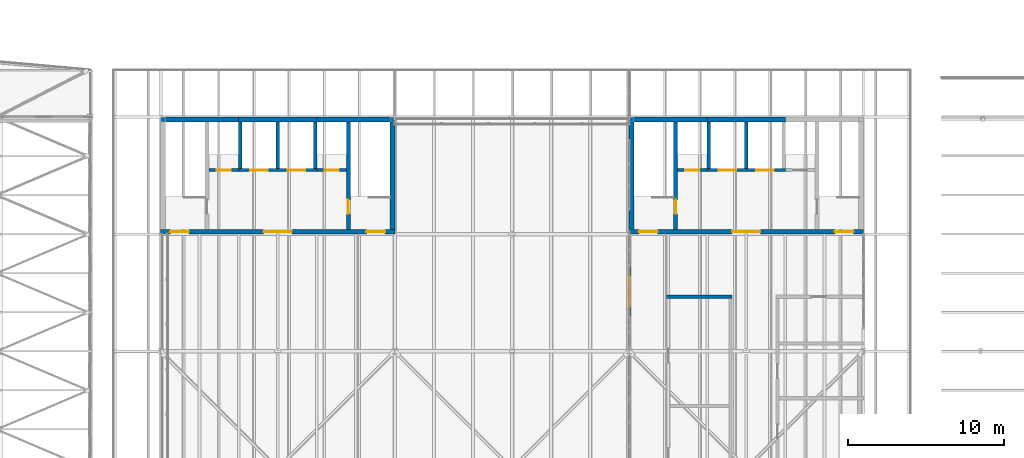
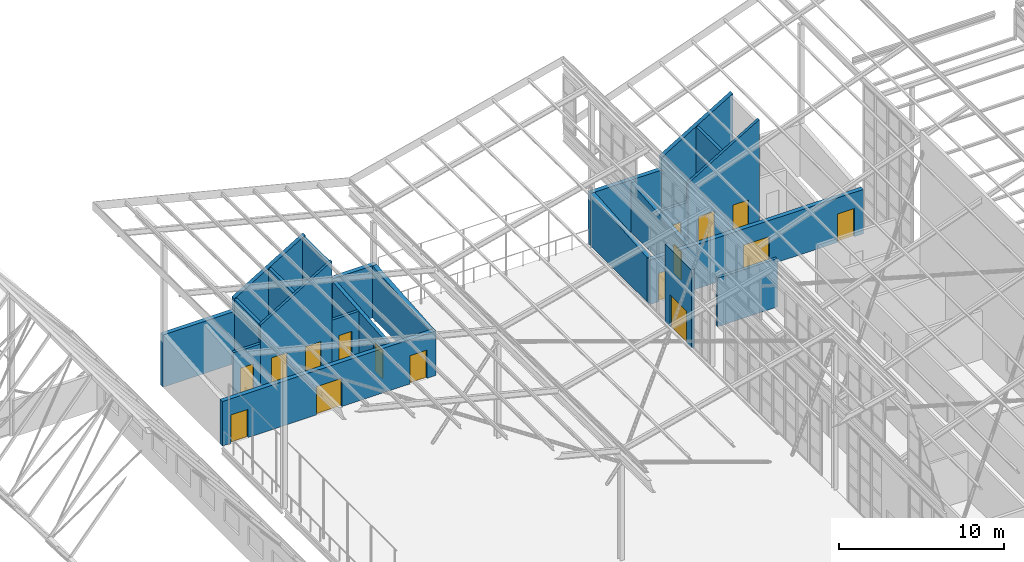
# One storey, part 116 of 483: 23 walls, 16 doors, 16 openings.
"""IFC4 building model written with IfcOpenShell, lengths in metres."""

from ifc_helpers import new_model, si_unit, direction, frame, frame_2d, origin, place, context, subcontext, project, spatial, polyline, rectangle, outline, extrude, material, layer, layer_set, type_object, element, fill, save


model = new_model("IFC4")

# Units and contexts
model_context = context("Model", 3, precision=1e-05, world=origin(), true_north=direction((0.0, 1.0)))
body_context = subcontext(model_context, "Body", "Model", "MODEL_VIEW")
ifc_project = project(units=[si_unit("LENGTHUNIT", "METRE"), si_unit("AREAUNIT", "SQUARE_METRE"), si_unit("VOLUMEUNIT", "CUBIC_METRE"), si_unit("PLANEANGLEUNIT", "RADIAN"), si_unit("MASSUNIT", "GRAM", prefix="KILO")], contexts=[model_context])

# Site, building, storey
site_placement = place(None, origin())
site = spatial("IfcSite", under=ifc_project, at=site_placement, CompositionType="ELEMENT")
building_placement = place(site_placement, origin())
building = spatial("IfcBuilding", under=site, at=building_placement, Name="Parallax Yard Mobility Hub", CompositionType="ELEMENT")
storey_placement = place(building_placement, frame((0.0, 0.0, 13.199951171875)))
storey = spatial("IfcBuildingStorey", under=building, at=storey_placement, Name="L04", CompositionType="ELEMENT", Elevation=13.199951171875)

# Wall, openings, doors
ifc_material_1 = material(Name="Concrete fc' 35 MPa", Category="concrete")
ifc_layer_1 = layer(ifc_material_1, 0.300048828125)
ifc_layer_set_1 = layer_set([ifc_layer_1], Name="Concrete fc' 35 MPa core wall 300")
wall_type_1 = type_object("IfcWallType", Name="Concrete fc' 35 MPa core wall 300", PredefinedType="SHEAR", material=ifc_layer_set_1)
wall_1_placement = place(storey_placement, frame((112.5, 45.14990234375, 0.0), z_axis=(0.0, 0.0, 1.0), x_axis=(-1.0, 0.0, 0.0)))
wall_1 = element("IfcWall", 1, at=wall_1_placement, inside=storey, type_object=wall_type_1, Name="Core C6-W entry wall level L04", PredefinedType="SHEAR", context=body_context, shape_type="SweptSolid", body=[
    extrude(rectangle(XDim=15.0, YDim=0.300048828125, at=frame_2d((7.5, 0.0))), origin(), (0.0, 0.0, 1.0), 3.300048828125),
])
opening_1_placement = place(wall_1_placement, frame((13.179931640625, 0.0, 0.0)))
opening_1 = element("IfcOpeningElement", 2, at=opening_1_placement, cuts=wall_1, Name="Opening L04-D733", PredefinedType="OPENING", context=body_context, shape_type="SweptSolid", body=[
    extrude(rectangle(XDim=1.199951171875, YDim=2.10009765625, at=frame_2d((0.60009765625, 1.050048828125))), frame((0.0, 0.16015625, 0.0), z_axis=(0.0, -1.0, 0.0), x_axis=(1.0, 0.0, 0.0)), (0.0, 0.0, 1.0), 0.320068359375),
])
opening_2_placement = place(wall_1_placement, frame((0.6201171875, 0.0, 0.0)))
opening_2 = element("IfcOpeningElement", 3, at=opening_2_placement, cuts=wall_1, Name="Opening L04-D734", PredefinedType="OPENING", context=body_context, shape_type="SweptSolid", body=[
    extrude(rectangle(XDim=1.199951171875, YDim=2.10009765625, at=frame_2d((0.60009765625, 1.050048828125))), frame((0.0, 0.16015625, 0.0), z_axis=(0.0, -1.0, 0.0), x_axis=(1.0, 0.0, 0.0)), (0.0, 0.0, 1.0), 0.320068359375),
])
opening_3_placement = place(wall_1_placement, frame((6.60009765625, 0.0, 0.0)))
opening_3 = element("IfcOpeningElement", 4, at=opening_3_placement, cuts=wall_1, Name="Opening L04-D735", PredefinedType="OPENING", context=body_context, shape_type="SweptSolid", body=[
    extrude(rectangle(XDim=1.800048828125, YDim=2.10009765625, at=frame_2d((0.89990234375, 1.050048828125))), frame((0.0, 0.16015625, 0.0), z_axis=(0.0, -1.0, 0.0), x_axis=(1.0, 0.0, 0.0)), (0.0, 0.0, 1.0), 0.320068359375),
])
ifc_material_2 = material(Name="Hollow metal steel door and frame", Category="steel")
door_type_1 = type_object("IfcDoorType", Name="Core door 1200 x 2100 FD90", OperationType="NOTDEFINED", PredefinedType="DOOR", material=ifc_material_2)
door_1_placement = place(opening_1_placement, origin())
door_1 = element("IfcDoor", 5, at=door_1_placement, inside=storey, type_object=door_type_1, Name="Stair deck door L04-D733, core C6-W level L04", OperationType="SINGLE_SWING_RIGHT", OverallHeight=2.10009765625, OverallWidth=1.199951171875, PredefinedType="DOOR", context=body_context, shape_type="SweptSolid", body=[
    extrude(rectangle(XDim=1.199951171875, YDim=2.10009765625, at=frame_2d((0.60009765625, 1.050048828125))), frame((0.0, 0.02490234375, 0.0), z_axis=(0.0, -1.0, 0.0), x_axis=(1.0, 0.0, 0.0)), (0.0, 0.0, 1.0), 0.050048828125),
])
fill(opening_1, door_1)
door_2_placement = place(opening_2_placement, origin())
door_2 = element("IfcDoor", 6, at=door_2_placement, inside=storey, type_object=door_type_1, Name="Stair deck door L04-D734, core C6-W level L04", OperationType="SINGLE_SWING_LEFT", OverallHeight=2.10009765625, OverallWidth=1.199951171875, PredefinedType="DOOR", context=body_context, shape_type="SweptSolid", body=[
    extrude(rectangle(XDim=1.199951171875, YDim=2.10009765625, at=frame_2d((0.60009765625, 1.050048828125))), frame((0.0, 0.02490234375, 0.0), z_axis=(0.0, -1.0, 0.0), x_axis=(1.0, 0.0, 0.0)), (0.0, 0.0, 1.0), 0.050048828125),
])
fill(opening_2, door_2)
door_type_2 = type_object("IfcDoorType", Name="Core double door 1800 x 2100 FD90", OperationType="NOTDEFINED", PredefinedType="DOOR", material=ifc_material_2)
door_3_placement = place(opening_3_placement, origin())
door_3 = element("IfcDoor", 7, at=door_3_placement, inside=storey, type_object=door_type_2, Name="Lift lobby door L04-D735, core C6-W level L04", OperationType="DOUBLE_DOOR_SINGLE_SWING", OverallHeight=2.10009765625, OverallWidth=1.800048828125, PredefinedType="DOOR", context=body_context, shape_type="SweptSolid", body=[
    extrude(rectangle(XDim=1.800048828125, YDim=2.10009765625, at=frame_2d((0.89990234375, 1.050048828125))), frame((0.0, 0.02490234375, 0.0), z_axis=(0.0, -1.0, 0.0), x_axis=(1.0, 0.0, 0.0)), (0.0, 0.0, 1.0), 0.050048828125),
])
fill(opening_3, door_3)

# Walls
wall_2_placement = place(storey_placement, frame((97.5, 52.35009765625, 0.0), z_axis=(0.0, 0.0, 1.0), x_axis=(1.0, 0.0, 0.0)))
element("IfcWall", 8, at=wall_2_placement, inside=storey, type_object=wall_type_1, Name="Core C6-W back wall part 1 level L04", PredefinedType="SHEAR", context=body_context, shape_type="SweptSolid", body=[
    extrude(rectangle(XDim=5.0, YDim=0.300048828125, at=frame_2d((2.5, 0.0))), origin(), (0.0, 0.0, 1.0), 3.875),
])
wall_3_placement = place(storey_placement, frame((102.5, 52.35009765625, 0.0), z_axis=(0.0, 0.0, 1.0), x_axis=(1.0, 0.0, 0.0)))
element("IfcWall", 9, at=wall_3_placement, inside=storey, type_object=wall_type_1, Name="Core C6-W back wall part 2 level L04", PredefinedType="SHEAR", context=body_context, shape_type="SweptSolid", body=[
    extrude(outline(polyline([(0.0, 0.0), (5.0, 0.0), (5.0, 7.800048828125), (0.0, 4.800048828125), (0.0, 0.0)])), frame((0.0, 0.14990234375, 0.0), z_axis=(0.0, -1.0, 0.0), x_axis=(1.0, 0.0, 0.0)), (0.0, 0.0, 1.0), 0.300048828125),
])
wall_4_placement = place(storey_placement, frame((107.5, 52.35009765625, 0.0), z_axis=(0.0, 0.0, 1.0), x_axis=(1.0, 0.0, 0.0)))
element("IfcWall", 10, at=wall_4_placement, inside=storey, type_object=wall_type_1, Name="Core C6-W back wall part 3 level L04", PredefinedType="SHEAR", context=body_context, shape_type="SweptSolid", body=[
    extrude(rectangle(XDim=5.0, YDim=0.300048828125, at=frame_2d((2.5, 0.0))), origin(), (0.0, 0.0, 1.0), 3.875),
])
wall_5_placement = place(storey_placement, frame((112.35009765625, 52.199951171875, 0.0), z_axis=(0.0, 0.0, 1.0), x_axis=(0.0, -1.0, 0.0)))
element("IfcWall", 11, at=wall_5_placement, inside=storey, type_object=wall_type_1, Name="Core C6-W east-side end wall level L04", PredefinedType="SHEAR", context=body_context, shape_type="SweptSolid", body=[
    extrude(outline(polyline([(0.0, 0.0), (6.89990234375, 0.0), (6.89990234375, 3.300048828125), (0.0, 3.875), (0.0, 0.0)])), frame((0.0, 0.14990234375, 0.0), z_axis=(0.0, -1.0, 0.0), x_axis=(1.0, 0.0, 0.0)), (0.0, 0.0, 1.0), 0.300048828125),
])

# Wall, openings, doors
wall_6_placement = place(storey_placement, frame((142.5, 45.14990234375, 0.0), z_axis=(0.0, 0.0, 1.0), x_axis=(-1.0, 0.0, 0.0)))
wall_6 = element("IfcWall", 12, at=wall_6_placement, inside=storey, type_object=wall_type_1, Name="Core C6-E entry wall level L04", PredefinedType="SHEAR", context=body_context, shape_type="SweptSolid", body=[
    extrude(rectangle(XDim=15.0, YDim=0.300048828125, at=frame_2d((7.5, 0.0))), origin(), (0.0, 0.0, 1.0), 3.300048828125),
])
opening_4_placement = place(wall_6_placement, frame((13.179931640625, 0.0, 0.0)))
opening_4 = element("IfcOpeningElement", 13, at=opening_4_placement, cuts=wall_6, Name="Opening L04-D742", PredefinedType="OPENING", context=body_context, shape_type="SweptSolid", body=[
    extrude(rectangle(XDim=1.199951171875, YDim=2.10009765625, at=frame_2d((0.60009765625, 1.050048828125))), frame((0.0, 0.16015625, 0.0), z_axis=(0.0, -1.0, 0.0), x_axis=(1.0, 0.0, 0.0)), (0.0, 0.0, 1.0), 0.320068359375),
])
opening_5_placement = place(wall_6_placement, frame((0.6201171875, 0.0, 0.0)))
opening_5 = element("IfcOpeningElement", 14, at=opening_5_placement, cuts=wall_6, Name="Opening L04-D743", PredefinedType="OPENING", context=body_context, shape_type="SweptSolid", body=[
    extrude(rectangle(XDim=1.199951171875, YDim=2.10009765625, at=frame_2d((0.60009765625, 1.050048828125))), frame((0.0, 0.16015625, 0.0), z_axis=(0.0, -1.0, 0.0), x_axis=(1.0, 0.0, 0.0)), (0.0, 0.0, 1.0), 0.320068359375),
])
opening_6_placement = place(wall_6_placement, frame((6.60009765625, 0.0, 0.0)))
opening_6 = element("IfcOpeningElement", 15, at=opening_6_placement, cuts=wall_6, Name="Opening L04-D744", PredefinedType="OPENING", context=body_context, shape_type="SweptSolid", body=[
    extrude(rectangle(XDim=1.800048828125, YDim=2.10009765625, at=frame_2d((0.89990234375, 1.050048828125))), frame((0.0, 0.16015625, 0.0), z_axis=(0.0, -1.0, 0.0), x_axis=(1.0, 0.0, 0.0)), (0.0, 0.0, 1.0), 0.320068359375),
])
door_4_placement = place(opening_4_placement, origin())
door_4 = element("IfcDoor", 16, at=door_4_placement, inside=storey, type_object=door_type_1, Name="Stair deck door L04-D742, core C6-E level L04", OperationType="SINGLE_SWING_RIGHT", OverallHeight=2.10009765625, OverallWidth=1.199951171875, PredefinedType="DOOR", context=body_context, shape_type="SweptSolid", body=[
    extrude(rectangle(XDim=1.199951171875, YDim=2.10009765625, at=frame_2d((0.60009765625, 1.050048828125))), frame((0.0, 0.02490234375, 0.0), z_axis=(0.0, -1.0, 0.0), x_axis=(1.0, 0.0, 0.0)), (0.0, 0.0, 1.0), 0.050048828125),
])
fill(opening_4, door_4)
door_5_placement = place(opening_5_placement, origin())
door_5 = element("IfcDoor", 17, at=door_5_placement, inside=storey, type_object=door_type_1, Name="Stair deck door L04-D743, core C6-E level L04", OperationType="SINGLE_SWING_LEFT", OverallHeight=2.10009765625, OverallWidth=1.199951171875, PredefinedType="DOOR", context=body_context, shape_type="SweptSolid", body=[
    extrude(rectangle(XDim=1.199951171875, YDim=2.10009765625, at=frame_2d((0.60009765625, 1.050048828125))), frame((0.0, 0.02490234375, 0.0), z_axis=(0.0, -1.0, 0.0), x_axis=(1.0, 0.0, 0.0)), (0.0, 0.0, 1.0), 0.050048828125),
])
fill(opening_5, door_5)
door_6_placement = place(opening_6_placement, origin())
door_6 = element("IfcDoor", 18, at=door_6_placement, inside=storey, type_object=door_type_2, Name="Lift lobby door L04-D744, core C6-E level L04", OperationType="DOUBLE_DOOR_SINGLE_SWING", OverallHeight=2.10009765625, OverallWidth=1.800048828125, PredefinedType="DOOR", context=body_context, shape_type="SweptSolid", body=[
    extrude(rectangle(XDim=1.800048828125, YDim=2.10009765625, at=frame_2d((0.89990234375, 1.050048828125))), frame((0.0, 0.02490234375, 0.0), z_axis=(0.0, -1.0, 0.0), x_axis=(1.0, 0.0, 0.0)), (0.0, 0.0, 1.0), 0.050048828125),
])
fill(opening_6, door_6)

# Walls
wall_7_placement = place(storey_placement, frame((127.5, 52.35009765625, 0.0), z_axis=(0.0, 0.0, 1.0), x_axis=(1.0, 0.0, 0.0)))
element("IfcWall", 19, at=wall_7_placement, inside=storey, type_object=wall_type_1, Name="Core C6-E back wall part 1 level L04", PredefinedType="SHEAR", context=body_context, shape_type="SweptSolid", body=[
    extrude(rectangle(XDim=5.0, YDim=0.300048828125, at=frame_2d((2.5, 0.0))), origin(), (0.0, 0.0, 1.0), 3.875),
])
wall_8_placement = place(storey_placement, frame((132.5, 52.35009765625, 0.0), z_axis=(0.0, 0.0, 1.0), x_axis=(1.0, 0.0, 0.0)))
element("IfcWall", 20, at=wall_8_placement, inside=storey, type_object=wall_type_1, Name="Core C6-E back wall part 2 level L04", PredefinedType="SHEAR", context=body_context, shape_type="SweptSolid", body=[
    extrude(outline(polyline([(0.0, 0.0), (5.0, 0.0), (5.0, 7.800048828125), (0.0, 4.800048828125), (0.0, 0.0)])), frame((0.0, 0.14990234375, 0.0), z_axis=(0.0, -1.0, 0.0), x_axis=(1.0, 0.0, 0.0)), (0.0, 0.0, 1.0), 0.300048828125),
])
wall_9_placement = place(storey_placement, frame((127.64990234375, 45.300048828125, 0.0), z_axis=(0.0, 0.0, 1.0), x_axis=(0.0, 1.0, 0.0)))
element("IfcWall", 21, at=wall_9_placement, inside=storey, type_object=wall_type_1, Name="Core C6-E west-side end wall level L04", PredefinedType="SHEAR", context=body_context, shape_type="SweptSolid", body=[
    extrude(outline(polyline([(0.0, 0.0), (6.89990234375, 0.0), (6.89990234375, 3.875), (0.0, 3.300048828125), (0.0, 0.0)])), frame((0.0, 0.14990234375, 0.0), z_axis=(0.0, -1.0, 0.0), x_axis=(1.0, 0.0, 0.0)), (0.0, 0.0, 1.0), 0.300048828125),
])

# Wall, opening, door
ifc_layer_2 = layer(ifc_material_1, 0.199951171875)
ifc_layer_set_2 = layer_set([ifc_layer_2], Name="Concrete fc' 35 MPa internal core wall 200")
wall_type_2 = type_object("IfcWallType", Name="Concrete fc' 35 MPa internal core wall 200", PredefinedType="STANDARD", material=ifc_layer_set_2)
wall_10_placement = place(storey_placement, frame((102.5, 49.10009765625, 0.0), z_axis=(0.0, 0.0, 1.0), x_axis=(-1.0, 0.0, 0.0)))
wall_10 = element("IfcWall", 22, at=wall_10_placement, inside=storey, type_object=wall_type_2, Name="Core C6-W lift front 1 part 1 level L04", PredefinedType="STANDARD", context=body_context, shape_type="SweptSolid", body=[
    extrude(rectangle(XDim=1.89990234375, YDim=0.199951171875, at=frame_2d((0.949951171875, 0.0))), origin(), (0.0, 0.0, 1.0), 3.416748046875),
])
opening_7_placement = place(wall_10_placement, frame((0.5, 0.0, 0.0)))
opening_7 = element("IfcOpeningElement", 23, at=opening_7_placement, cuts=wall_10, Name="Opening L04-D740", PredefinedType="OPENING", context=body_context, shape_type="SweptSolid", body=[
    extrude(rectangle(XDim=0.89990234375, YDim=2.10009765625, at=frame_2d((0.449951171875, 1.050048828125))), frame((0.0, 0.10986328125, 0.0), z_axis=(0.0, -1.0, 0.0), x_axis=(1.0, 0.0, 0.0)), (0.0, 0.0, 1.0), 0.219970703125),
])
door_type_3 = type_object("IfcDoorType", Name="Riser door 900 x 2100 FD90", OperationType="NOTDEFINED", PredefinedType="DOOR", material=ifc_material_2)
door_7_placement = place(opening_7_placement, origin())
door_7 = element("IfcDoor", 24, at=door_7_placement, inside=storey, type_object=door_type_3, Name="Riser door L04-D740, core C6-W level L04", OperationType="SINGLE_SWING_RIGHT", OverallHeight=2.10009765625, OverallWidth=0.89990234375, PredefinedType="DOOR", context=body_context, shape_type="SweptSolid", body=[
    extrude(rectangle(XDim=0.89990234375, YDim=2.10009765625, at=frame_2d((0.449951171875, 1.050048828125))), frame((0.0, 0.02490234375, 0.0), z_axis=(0.0, -1.0, 0.0), x_axis=(1.0, 0.0, 0.0)), (0.0, 0.0, 1.0), 0.050048828125),
])
fill(opening_7, door_7)

# Wall, openings, doors
wall_11_placement = place(storey_placement, frame((102.5, 49.10009765625, 0.0), z_axis=(0.0, 0.0, 1.0), x_axis=(1.0, 0.0, 0.0)))
wall_11 = element("IfcWall", 25, at=wall_11_placement, inside=storey, type_object=wall_type_2, Name="Core C6-W lift front 2 part 2 level L04", PredefinedType="STANDARD", context=body_context, shape_type="SweptSolid", body=[
    extrude(outline(polyline([(0.0, 0.0), (5.0, 0.0), (5.0, 7.800048828125), (0.0, 4.800048828125), (0.0, 0.0)])), frame((0.0, 0.10009765625, 0.0), z_axis=(0.0, -1.0, 0.0), x_axis=(1.0, 0.0, 0.0)), (0.0, 0.0, 1.0), 0.199951171875),
])
opening_8_placement = place(wall_11_placement, frame((0.75, 0.0, 0.0)))
opening_8 = element("IfcOpeningElement", 26, at=opening_8_placement, cuts=wall_11, Name="Opening L04-D738", PredefinedType="OPENING", context=body_context, shape_type="SweptSolid", body=[
    extrude(rectangle(XDim=1.10009765625, YDim=2.10009765625, at=frame_2d((0.550048828125, 1.050048828125))), frame((0.0, 0.10986328125, 0.0), z_axis=(0.0, -1.0, 0.0), x_axis=(1.0, 0.0, 0.0)), (0.0, 0.0, 1.0), 0.219970703125),
])
opening_9_placement = place(wall_11_placement, frame((3.14990234375, 0.0, 0.0)))
opening_9 = element("IfcOpeningElement", 27, at=opening_9_placement, cuts=wall_11, Name="Opening L04-D739", PredefinedType="OPENING", context=body_context, shape_type="SweptSolid", body=[
    extrude(rectangle(XDim=1.10009765625, YDim=2.10009765625, at=frame_2d((0.550048828125, 1.050048828125))), frame((0.0, 0.10986328125, 0.0), z_axis=(0.0, -1.0, 0.0), x_axis=(1.0, 0.0, 0.0)), (0.0, 0.0, 1.0), 0.219970703125),
])
ifc_material_3 = material(Name="Stainless steel sliding door and frame", Category="steel")
door_type_4 = type_object("IfcDoorType", Name="Lift landing door 1100 x 2100 FD90", OperationType="DOUBLE_DOOR_SLIDING", PredefinedType="DOOR", material=ifc_material_3)
door_8_placement = place(opening_8_placement, origin())
door_8 = element("IfcDoor", 28, at=door_8_placement, inside=storey, type_object=door_type_4, Name="Lift landing door L04-D738, core C6-W level L04", OperationType="DOUBLE_DOOR_SLIDING", OverallHeight=2.10009765625, OverallWidth=1.10009765625, PredefinedType="DOOR", context=body_context, shape_type="SweptSolid", body=[
    extrude(rectangle(XDim=1.10009765625, YDim=2.10009765625, at=frame_2d((0.550048828125, 1.050048828125))), frame((0.0, 0.02490234375, 0.0), z_axis=(0.0, -1.0, 0.0), x_axis=(1.0, 0.0, 0.0)), (0.0, 0.0, 1.0), 0.050048828125),
])
fill(opening_8, door_8)
door_9_placement = place(opening_9_placement, origin())
door_9 = element("IfcDoor", 29, at=door_9_placement, inside=storey, type_object=door_type_4, Name="Lift landing door L04-D739, core C6-W level L04", OperationType="DOUBLE_DOOR_SLIDING", OverallHeight=2.10009765625, OverallWidth=1.10009765625, PredefinedType="DOOR", context=body_context, shape_type="SweptSolid", body=[
    extrude(rectangle(XDim=1.10009765625, YDim=2.10009765625, at=frame_2d((0.550048828125, 1.050048828125))), frame((0.0, 0.02490234375, 0.0), z_axis=(0.0, -1.0, 0.0), x_axis=(1.0, 0.0, 0.0)), (0.0, 0.0, 1.0), 0.050048828125),
])
fill(opening_9, door_9)

# Wall, opening, door
wall_12_placement = place(storey_placement, frame((109.39990234375, 49.10009765625, 0.0), z_axis=(0.0, 0.0, 1.0), x_axis=(-1.0, 0.0, 0.0)))
wall_12 = element("IfcWall", 30, at=wall_12_placement, inside=storey, type_object=wall_type_2, Name="Core C6-W lift front 3 part 3 level L04", PredefinedType="STANDARD", context=body_context, shape_type="SweptSolid", body=[
    extrude(rectangle(XDim=1.89990234375, YDim=0.199951171875, at=frame_2d((0.949951171875, 0.0))), origin(), (0.0, 0.0, 1.0), 3.416748046875),
])
opening_10_placement = place(wall_12_placement, frame((0.5, 0.0, 0.0)))
opening_10 = element("IfcOpeningElement", 31, at=opening_10_placement, cuts=wall_12, Name="Opening L04-D741", PredefinedType="OPENING", context=body_context, shape_type="SweptSolid", body=[
    extrude(rectangle(XDim=0.89990234375, YDim=2.10009765625, at=frame_2d((0.449951171875, 1.050048828125))), frame((0.0, 0.10986328125, 0.0), z_axis=(0.0, -1.0, 0.0), x_axis=(1.0, 0.0, 0.0)), (0.0, 0.0, 1.0), 0.219970703125),
])
door_10_placement = place(opening_10_placement, origin())
door_10 = element("IfcDoor", 32, at=door_10_placement, inside=storey, type_object=door_type_3, Name="Riser door L04-D741, core C6-W level L04", OperationType="SINGLE_SWING_LEFT", OverallHeight=2.10009765625, OverallWidth=0.89990234375, PredefinedType="DOOR", context=body_context, shape_type="SweptSolid", body=[
    extrude(rectangle(XDim=0.89990234375, YDim=2.10009765625, at=frame_2d((0.449951171875, 1.050048828125))), frame((0.0, 0.02490234375, 0.0), z_axis=(0.0, -1.0, 0.0), x_axis=(1.0, 0.0, 0.0)), (0.0, 0.0, 1.0), 0.050048828125),
])
fill(opening_10, door_10)

# Walls
wall_13_placement = place(storey_placement, frame((102.60009765625, 49.199951171875, 0.0), z_axis=(0.0, 0.0, 1.0), x_axis=(0.0, 1.0, 0.0)))
element("IfcWall", 33, at=wall_13_placement, inside=storey, type_object=wall_type_2, Name="Core C6-W lift wall 1 part 1 level L04", PredefinedType="STANDARD", context=body_context, shape_type="SweptSolid", body=[
    extrude(rectangle(XDim=3.0, YDim=0.199951171875, at=frame_2d((1.5, 0.0))), origin(), (0.0, 0.0, 1.0), 4.800048828125),
])
wall_14_placement = place(storey_placement, frame((105.0, 49.199951171875, 0.0), z_axis=(0.0, 0.0, 1.0), x_axis=(0.0, 1.0, 0.0)))
element("IfcWall", 34, at=wall_14_placement, inside=storey, type_object=wall_type_2, Name="Core C6-W lift wall 2 part 2 level L04", PredefinedType="STANDARD", context=body_context, shape_type="SweptSolid", body=[
    extrude(rectangle(XDim=3.0, YDim=0.199951171875, at=frame_2d((1.5, 0.0))), origin(), (0.0, 0.0, 1.0), 6.239990234375),
])
wall_15_placement = place(storey_placement, frame((107.39990234375, 49.199951171875, 0.0), z_axis=(0.0, 0.0, 1.0), x_axis=(0.0, 1.0, 0.0)))
element("IfcWall", 35, at=wall_15_placement, inside=storey, type_object=wall_type_2, Name="Core C6-W lift wall 3 part 3 level L04", PredefinedType="STANDARD", context=body_context, shape_type="SweptSolid", body=[
    extrude(rectangle(XDim=3.0, YDim=0.199951171875, at=frame_2d((1.5, 0.0))), origin(), (0.0, 0.0, 1.0), 7.679931640625),
])

# Wall, opening, door
wall_16_placement = place(storey_placement, frame((132.5, 49.10009765625, 0.0), z_axis=(0.0, 0.0, 1.0), x_axis=(-1.0, 0.0, 0.0)))
wall_16 = element("IfcWall", 36, at=wall_16_placement, inside=storey, type_object=wall_type_2, Name="Core C6-E lift front 1 part 1 level L04", PredefinedType="STANDARD", context=body_context, shape_type="SweptSolid", body=[
    extrude(rectangle(XDim=1.89990234375, YDim=0.199951171875, at=frame_2d((0.949951171875, 0.0))), origin(), (0.0, 0.0, 1.0), 3.416748046875),
])
opening_11_placement = place(wall_16_placement, frame((0.5, 0.0, 0.0)))
opening_11 = element("IfcOpeningElement", 37, at=opening_11_placement, cuts=wall_16, Name="Opening L04-D749", PredefinedType="OPENING", context=body_context, shape_type="SweptSolid", body=[
    extrude(rectangle(XDim=0.89990234375, YDim=2.10009765625, at=frame_2d((0.449951171875, 1.050048828125))), frame((0.0, 0.10986328125, 0.0), z_axis=(0.0, -1.0, 0.0), x_axis=(1.0, 0.0, 0.0)), (0.0, 0.0, 1.0), 0.219970703125),
])
door_11_placement = place(opening_11_placement, origin())
door_11 = element("IfcDoor", 38, at=door_11_placement, inside=storey, type_object=door_type_3, Name="Riser door L04-D749, core C6-E level L04", OperationType="SINGLE_SWING_RIGHT", OverallHeight=2.10009765625, OverallWidth=0.89990234375, PredefinedType="DOOR", context=body_context, shape_type="SweptSolid", body=[
    extrude(rectangle(XDim=0.89990234375, YDim=2.10009765625, at=frame_2d((0.449951171875, 1.050048828125))), frame((0.0, 0.02490234375, 0.0), z_axis=(0.0, -1.0, 0.0), x_axis=(1.0, 0.0, 0.0)), (0.0, 0.0, 1.0), 0.050048828125),
])
fill(opening_11, door_11)

# Wall, openings, doors
wall_17_placement = place(storey_placement, frame((132.5, 49.10009765625, 0.0), z_axis=(0.0, 0.0, 1.0), x_axis=(1.0, 0.0, 0.0)))
wall_17 = element("IfcWall", 39, at=wall_17_placement, inside=storey, type_object=wall_type_2, Name="Core C6-E lift front 2 part 2 level L04", PredefinedType="STANDARD", context=body_context, shape_type="SweptSolid", body=[
    extrude(outline(polyline([(0.0, 0.0), (5.0, 0.0), (5.0, 7.800048828125), (0.0, 4.800048828125), (0.0, 0.0)])), frame((0.0, 0.10009765625, 0.0), z_axis=(0.0, -1.0, 0.0), x_axis=(1.0, 0.0, 0.0)), (0.0, 0.0, 1.0), 0.199951171875),
])
opening_12_placement = place(wall_17_placement, frame((0.75, 0.0, 0.0)))
opening_12 = element("IfcOpeningElement", 40, at=opening_12_placement, cuts=wall_17, Name="Opening L04-D747", PredefinedType="OPENING", context=body_context, shape_type="SweptSolid", body=[
    extrude(rectangle(XDim=1.10009765625, YDim=2.10009765625, at=frame_2d((0.550048828125, 1.050048828125))), frame((0.0, 0.10986328125, 0.0), z_axis=(0.0, -1.0, 0.0), x_axis=(1.0, 0.0, 0.0)), (0.0, 0.0, 1.0), 0.219970703125),
])
opening_13_placement = place(wall_17_placement, frame((3.14990234375, 0.0, 0.0)))
opening_13 = element("IfcOpeningElement", 41, at=opening_13_placement, cuts=wall_17, Name="Opening L04-D748", PredefinedType="OPENING", context=body_context, shape_type="SweptSolid", body=[
    extrude(rectangle(XDim=1.10009765625, YDim=2.10009765625, at=frame_2d((0.550048828125, 1.050048828125))), frame((0.0, 0.10986328125, 0.0), z_axis=(0.0, -1.0, 0.0), x_axis=(1.0, 0.0, 0.0)), (0.0, 0.0, 1.0), 0.219970703125),
])
door_12_placement = place(opening_12_placement, origin())
door_12 = element("IfcDoor", 42, at=door_12_placement, inside=storey, type_object=door_type_4, Name="Lift landing door L04-D747, core C6-E level L04", OperationType="DOUBLE_DOOR_SLIDING", OverallHeight=2.10009765625, OverallWidth=1.10009765625, PredefinedType="DOOR", context=body_context, shape_type="SweptSolid", body=[
    extrude(rectangle(XDim=1.10009765625, YDim=2.10009765625, at=frame_2d((0.550048828125, 1.050048828125))), frame((0.0, 0.02490234375, 0.0), z_axis=(0.0, -1.0, 0.0), x_axis=(1.0, 0.0, 0.0)), (0.0, 0.0, 1.0), 0.050048828125),
])
fill(opening_12, door_12)
door_13_placement = place(opening_13_placement, origin())
door_13 = element("IfcDoor", 43, at=door_13_placement, inside=storey, type_object=door_type_4, Name="Lift landing door L04-D748, core C6-E level L04", OperationType="DOUBLE_DOOR_SLIDING", OverallHeight=2.10009765625, OverallWidth=1.10009765625, PredefinedType="DOOR", context=body_context, shape_type="SweptSolid", body=[
    extrude(rectangle(XDim=1.10009765625, YDim=2.10009765625, at=frame_2d((0.550048828125, 1.050048828125))), frame((0.0, 0.02490234375, 0.0), z_axis=(0.0, -1.0, 0.0), x_axis=(1.0, 0.0, 0.0)), (0.0, 0.0, 1.0), 0.050048828125),
])
fill(opening_13, door_13)

# Walls
wall_18_placement = place(storey_placement, frame((132.60009765625, 49.199951171875, 0.0), z_axis=(0.0, 0.0, 1.0), x_axis=(0.0, 1.0, 0.0)))
element("IfcWall", 44, at=wall_18_placement, inside=storey, type_object=wall_type_2, Name="Core C6-E lift wall 1 part 1 level L04", PredefinedType="STANDARD", context=body_context, shape_type="SweptSolid", body=[
    extrude(rectangle(XDim=3.0, YDim=0.199951171875, at=frame_2d((1.5, 0.0))), origin(), (0.0, 0.0, 1.0), 4.800048828125),
])
wall_19_placement = place(storey_placement, frame((135.0, 49.199951171875, 0.0), z_axis=(0.0, 0.0, 1.0), x_axis=(0.0, 1.0, 0.0)))
element("IfcWall", 45, at=wall_19_placement, inside=storey, type_object=wall_type_2, Name="Core C6-E lift wall 2 part 2 level L04", PredefinedType="STANDARD", context=body_context, shape_type="SweptSolid", body=[
    extrude(rectangle(XDim=3.0, YDim=0.199951171875, at=frame_2d((1.5, 0.0))), origin(), (0.0, 0.0, 1.0), 6.239990234375),
])

# Wall, opening, door
ifc_layer_3 = layer(ifc_material_1, 0.25)
ifc_layer_set_3 = layer_set([ifc_layer_3], Name="Concrete fc' 35 MPa stair enclosure wall 250")
wall_type_3 = type_object("IfcWallType", Name="Concrete fc' 35 MPa stair enclosure wall 250", PredefinedType="STANDARD", material=ifc_layer_set_3)
wall_20_placement = place(storey_placement, frame((109.52490234375, 52.199951171875, 0.0), z_axis=(0.0, 0.0, 1.0), x_axis=(0.0, -1.0, 0.0)))
wall_20 = element("IfcWall", 46, at=wall_20_placement, inside=storey, type_object=wall_type_3, Name="Core C6-W stair 2 partition level L04", PredefinedType="STANDARD", context=body_context, shape_type="SweptSolid", body=[
    extrude(outline(polyline([(0.0, 0.0), (6.89990234375, 0.0), (6.89990234375, 3.10009765625), (0.0, 3.675048828125), (0.0, 0.0)])), frame((0.0, 0.125, 0.0), z_axis=(0.0, -1.0, 0.0), x_axis=(1.0, 0.0, 0.0)), (0.0, 0.0, 1.0), 0.25),
])
opening_14_placement = place(wall_20_placement, frame((5.0, 0.0, 0.0)))
opening_14 = element("IfcOpeningElement", 47, at=opening_14_placement, cuts=wall_20, Name="Opening L04-D737", PredefinedType="OPENING", context=body_context, shape_type="SweptSolid", body=[
    extrude(rectangle(XDim=0.89990234375, YDim=2.10009765625, at=frame_2d((0.449951171875, 1.050048828125))), frame((0.0, 0.135009765625, 0.0), z_axis=(0.0, -1.0, 0.0), x_axis=(1.0, 0.0, 0.0)), (0.0, 0.0, 1.0), 0.27001953125),
])
door_type_5 = type_object("IfcDoorType", Name="Core door 900 x 2100 FD90", OperationType="NOTDEFINED", PredefinedType="DOOR", material=ifc_material_2)
door_14_placement = place(opening_14_placement, origin())
door_14 = element("IfcDoor", 48, at=door_14_placement, inside=storey, type_object=door_type_5, Name="Stair lobby door L04-D737, core C6-W level L04", OperationType="SINGLE_SWING_RIGHT", OverallHeight=2.10009765625, OverallWidth=0.89990234375, PredefinedType="DOOR", context=body_context, shape_type="SweptSolid", body=[
    extrude(rectangle(XDim=0.89990234375, YDim=2.10009765625, at=frame_2d((0.449951171875, 1.050048828125))), frame((0.0, 0.02490234375, 0.0), z_axis=(0.0, -1.0, 0.0), x_axis=(1.0, 0.0, 0.0)), (0.0, 0.0, 1.0), 0.050048828125),
])
fill(opening_14, door_14)

wall_21_placement = place(storey_placement, frame((130.47509765625, 45.300048828125, 0.0), z_axis=(0.0, 0.0, 1.0), x_axis=(0.0, 1.0, 0.0)))
wall_21 = element("IfcWall", 49, at=wall_21_placement, inside=storey, type_object=wall_type_3, Name="Core C6-E stair 1 partition level L04", PredefinedType="STANDARD", context=body_context, shape_type="SweptSolid", body=[
    extrude(outline(polyline([(0.0, 0.0), (6.89990234375, 0.0), (6.89990234375, 3.675048828125), (0.0, 3.10009765625), (0.0, 0.0)])), frame((0.0, 0.125, 0.0), z_axis=(0.0, -1.0, 0.0), x_axis=(1.0, 0.0, 0.0)), (0.0, 0.0, 1.0), 0.25),
])
opening_15_placement = place(wall_21_placement, frame((1.0, 0.0, 0.0)))
opening_15 = element("IfcOpeningElement", 50, at=opening_15_placement, cuts=wall_21, Name="Opening L04-D745", PredefinedType="OPENING", context=body_context, shape_type="SweptSolid", body=[
    extrude(rectangle(XDim=0.89990234375, YDim=2.10009765625, at=frame_2d((0.449951171875, 1.050048828125))), frame((0.0, 0.135009765625, 0.0), z_axis=(0.0, -1.0, 0.0), x_axis=(1.0, 0.0, 0.0)), (0.0, 0.0, 1.0), 0.27001953125),
])
door_15_placement = place(opening_15_placement, origin())
door_15 = element("IfcDoor", 51, at=door_15_placement, inside=storey, type_object=door_type_5, Name="Stair lobby door L04-D745, core C6-E level L04", OperationType="SINGLE_SWING_LEFT", OverallHeight=2.10009765625, OverallWidth=0.89990234375, PredefinedType="DOOR", context=body_context, shape_type="SweptSolid", body=[
    extrude(rectangle(XDim=0.89990234375, YDim=2.10009765625, at=frame_2d((0.449951171875, 1.050048828125))), frame((0.0, 0.02490234375, 0.0), z_axis=(0.0, -1.0, 0.0), x_axis=(1.0, 0.0, 0.0)), (0.0, 0.0, 1.0), 0.050048828125),
])
fill(opening_15, door_15)

# Wall
ifc_material_4 = material(Name="Fire-rated plasterboard partition, two layers each side")
ifc_layer_4 = layer(ifc_material_4, 0.199951171875)
ifc_layer_set_4 = layer_set([ifc_layer_4], Name="Fire-rated partition 200 mm")
wall_type_4 = type_object("IfcWallType", Name="Fire-rated partition 200 mm", PredefinedType="PARTITIONING", material=ifc_layer_set_4)
wall_22_placement = place(storey_placement, frame((129.89990234375, 41.0, 0.0), z_axis=(0.0, 0.0, 1.0), x_axis=(1.0, 0.0, 0.0)))
element("IfcWall", 52, at=wall_22_placement, inside=storey, type_object=wall_type_4, Name="Partition 8 level L04", PredefinedType="PARTITIONING", context=body_context, shape_type="SweptSolid", body=[
    extrude(rectangle(XDim=4.2001953125, YDim=0.199951171875, at=frame_2d((2.10009765625, 0.0))), origin(), (0.0, 0.0, 1.0), 3.60009765625),
])

# Wall, opening, door
ifc_layer_5 = layer(ifc_material_1, 0.22998046875)
ifc_layer_set_5 = layer_set([ifc_layer_5], Name="Pavilion wall, Concrete fc' 35 MPa precast, 230 with insulation lining")
wall_type_5 = type_object("IfcWallType", Name="Pavilion wall, Concrete fc' 35 MPa precast, 230 with insulation lining", PredefinedType="SOLIDWALL", material=ifc_layer_set_5)
wall_23_placement = place(storey_placement, frame((127.5, 39.7294921875, 0.0), z_axis=(0.0, 0.0, 1.0), x_axis=(0.0, 1.0, 0.0)))
wall_23 = element("IfcWall", 53, at=wall_23_placement, inside=storey, type_object=wall_type_5, Name="Rooftop sports deck west door pier bay 3 level L04", PredefinedType="SOLIDWALL", context=body_context, shape_type="SweptSolid", body=[
    extrude(rectangle(XDim=3.199951171875, YDim=0.22998046875, at=frame_2d((1.60009765625, 0.0))), origin(), (0.0, 0.0, 1.0), 5.800048828125),
])
opening_16_placement = place(wall_23_placement, frame((0.60009765625, 0.0, 0.0)))
opening_16 = element("IfcOpeningElement", 54, at=opening_16_placement, cuts=wall_23, Name="Opening L04-D102", PredefinedType="OPENING", context=body_context, shape_type="SweptSolid", body=[
    extrude(rectangle(XDim=2.0, YDim=2.39990234375, at=frame_2d((1.0, 1.199951171875))), frame((0.0, 0.125, 0.0), z_axis=(0.0, -1.0, 0.0), x_axis=(1.0, 0.0, 0.0)), (0.0, 0.0, 1.0), 0.25),
])
ifc_material_5 = material(Name="Aluminium frame with laminated glass leaves", Category="aluminium")
door_type_6 = type_object("IfcDoorType", Name="Court door double 2000 x 2400", OperationType="DOUBLE_DOOR_SINGLE_SWING", PredefinedType="DOOR", material=ifc_material_5)
door_16_placement = place(opening_16_placement, origin())
door_16 = element("IfcDoor", 55, at=door_16_placement, inside=storey, type_object=door_type_6, Name="Entrance door L04-D102", OperationType="DOUBLE_DOOR_SINGLE_SWING", OverallHeight=2.39990234375, OverallWidth=2.0, PredefinedType="DOOR", context=body_context, shape_type="SweptSolid", body=[
    extrude(rectangle(XDim=2.0, YDim=2.39990234375, at=frame_2d((1.0, 1.199951171875))), frame((0.0, 0.02490234375, 0.0), z_axis=(0.0, -1.0, 0.0), x_axis=(1.0, 0.0, 0.0)), (0.0, 0.0, 1.0), 0.050048828125),
])
fill(opening_16, door_16)

save(model, "model.ifc")
